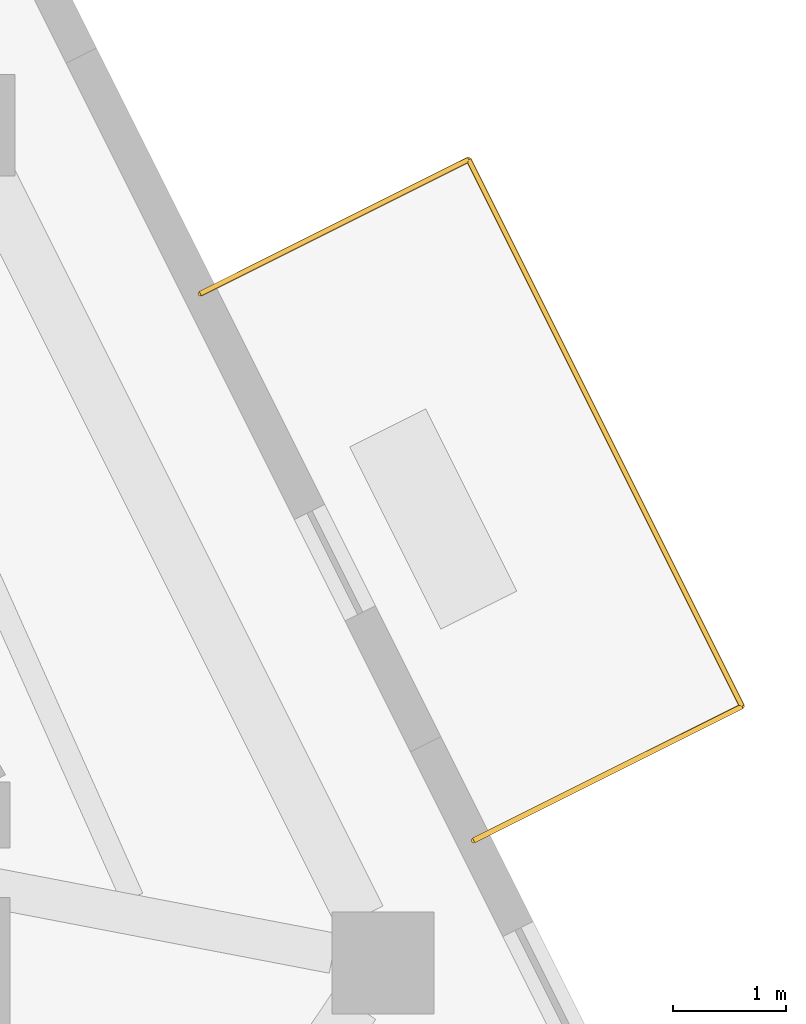
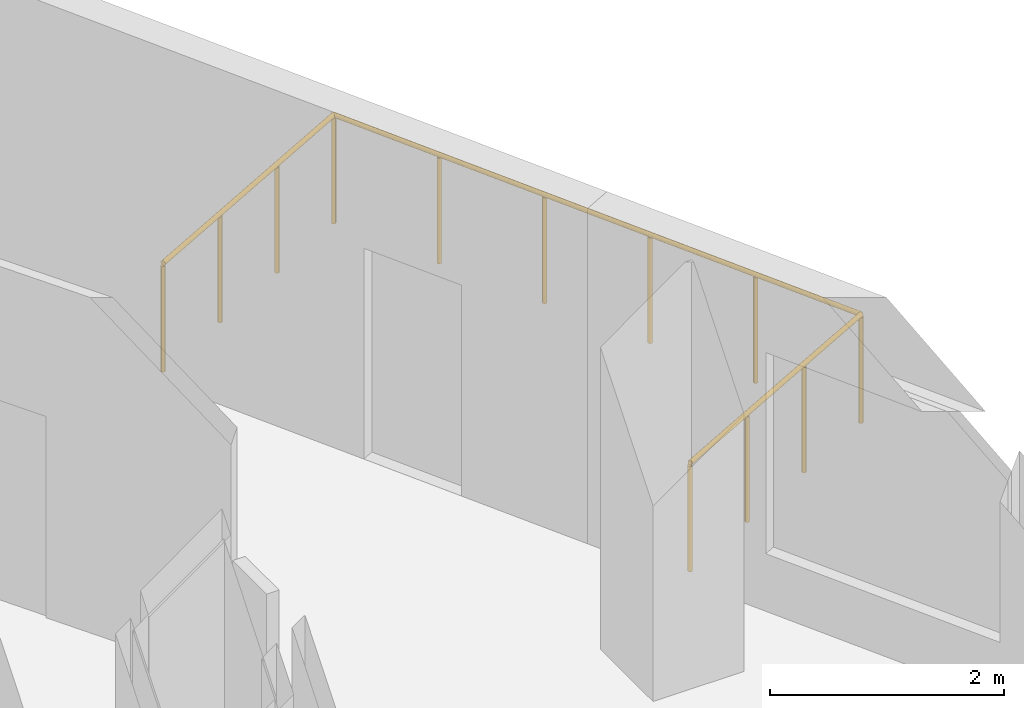
# One storey, part 9 of 9: 1 railing.
"""IFC4 building model written with IfcOpenShell, lengths in metres."""

from ifc_helpers import new_model, si_unit, direction, frame, origin, origin_2d, place, context, subcontext, project, spatial, circle, extrude, material, type_object, element, save


model = new_model("IFC4")

# Units and contexts
model_context = context("Model", 3, precision=1e-05, world=origin(), true_north=direction((0.0, 1.0)))
body_context = subcontext(model_context, "Body", "Model", "MODEL_VIEW")
ifc_project = project(units=[si_unit("LENGTHUNIT", "METRE"), si_unit("AREAUNIT", "SQUARE_METRE"), si_unit("VOLUMEUNIT", "CUBIC_METRE"), si_unit("PLANEANGLEUNIT", "RADIAN"), si_unit("MASSUNIT", "GRAM", prefix="KILO")], contexts=[model_context])

# Site, building, storey
site_placement = place(None, origin())
site = spatial("IfcSite", under=ifc_project, at=site_placement, CompositionType="ELEMENT")
building_placement = place(site_placement, origin())
building = spatial("IfcBuilding", under=site, at=building_placement, Name="Almagre Mirador Tower", CompositionType="ELEMENT")
storey_placement = place(building_placement, frame((0.0, 0.0, 267.0)))
storey = spatial("IfcBuildingStorey", under=building, at=storey_placement, Name="L69", CompositionType="ELEMENT", Elevation=267.0)

# Railing
ifc_material = material(Name="Black anodized aluminium", Category="aluminium")
railing_type = type_object("IfcRailingType", Name="RLG-BAL-1150", PredefinedType="BALUSTRADE", material=ifc_material)
railing_placement = place(storey_placement, frame((53.757080078125, 10.485107421875, 0.0)))
element("IfcRailing", 1, at=railing_placement, inside=storey, type_object=railing_type, Name="L69 east balcony balustrade 1", PredefinedType="BALUSTRADE", context=body_context, shape_type="SweptSolid", body=[
    extrude(circle(Radius=0.02392578125, at=origin_2d()), frame((0.0, 0.0, 1.1259765625), z_axis=(0.894519286051, 0.447029357966, 0.0), x_axis=(-0.447029357966, 0.894519286051, 0.0)), (0.0, 0.0, 1.0), 2.650390625),
    extrude(circle(Radius=0.02392578125, at=origin_2d()), frame((2.370849609375, 1.184814453125, 1.1259765625), z_axis=(-0.4472135955, 0.894427191, 0.0), x_axis=(-0.894427191, -0.4472135955, 0.0)), (0.0, 0.0, 1.0), 5.400146484375),
    extrude(circle(Radius=0.02392578125, at=origin_2d()), frame((-0.044189453125, 6.014892578125, 1.1259765625), z_axis=(-0.894408762121, -0.447250451359, 0.0), x_axis=(0.447250451359, -0.894408762121, 0.0)), (0.0, 0.0, 1.0), 2.649658203125),
    extrude(circle(Radius=0.02099609375, at=origin_2d()), origin(), (0.0, 0.0, 1.0), 1.101806640625),
    extrude(circle(Radius=0.02099609375, at=origin_2d()), frame((0.790283203125, 0.39501953125, 0.0)), (0.0, 0.0, 1.0), 1.101806640625),
    extrude(circle(Radius=0.02099609375, at=origin_2d()), frame((1.58056640625, 0.789794921875, 0.0)), (0.0, 0.0, 1.0), 1.101806640625),
    extrude(circle(Radius=0.02099609375, at=origin_2d()), frame((2.370849609375, 1.184814453125, 0.0)), (0.0, 0.0, 1.0), 1.101806640625),
    extrude(circle(Radius=0.02099609375, at=origin_2d()), frame((1.887939453125, 2.15087890625, 0.0)), (0.0, 0.0, 1.0), 1.101806640625),
    extrude(circle(Radius=0.02099609375, at=origin_2d()), frame((1.40478515625, 3.116943359375, 0.0)), (0.0, 0.0, 1.0), 1.101806640625),
    extrude(circle(Radius=0.02099609375, at=origin_2d()), frame((0.921875, 4.082763671875, 0.0)), (0.0, 0.0, 1.0), 1.101806640625),
    extrude(circle(Radius=0.02099609375, at=origin_2d()), frame((0.438720703125, 5.048828125, 0.0)), (0.0, 0.0, 1.0), 1.101806640625),
    extrude(circle(Radius=0.02099609375, at=origin_2d()), frame((-0.044189453125, 6.014892578125, 0.0)), (0.0, 0.0, 1.0), 1.101806640625),
    extrude(circle(Radius=0.02099609375, at=origin_2d()), frame((-0.834228515625, 5.619873046875, 0.0)), (0.0, 0.0, 1.0), 1.101806640625),
    extrude(circle(Radius=0.02099609375, at=origin_2d()), frame((-1.6240234375, 5.224853515625, 0.0)), (0.0, 0.0, 1.0), 1.101806640625),
    extrude(circle(Radius=0.02099609375, at=origin_2d()), frame((-2.4140625, 4.829833984375, 0.0)), (0.0, 0.0, 1.0), 1.101806640625),
])

save(model, "model.ifc")
